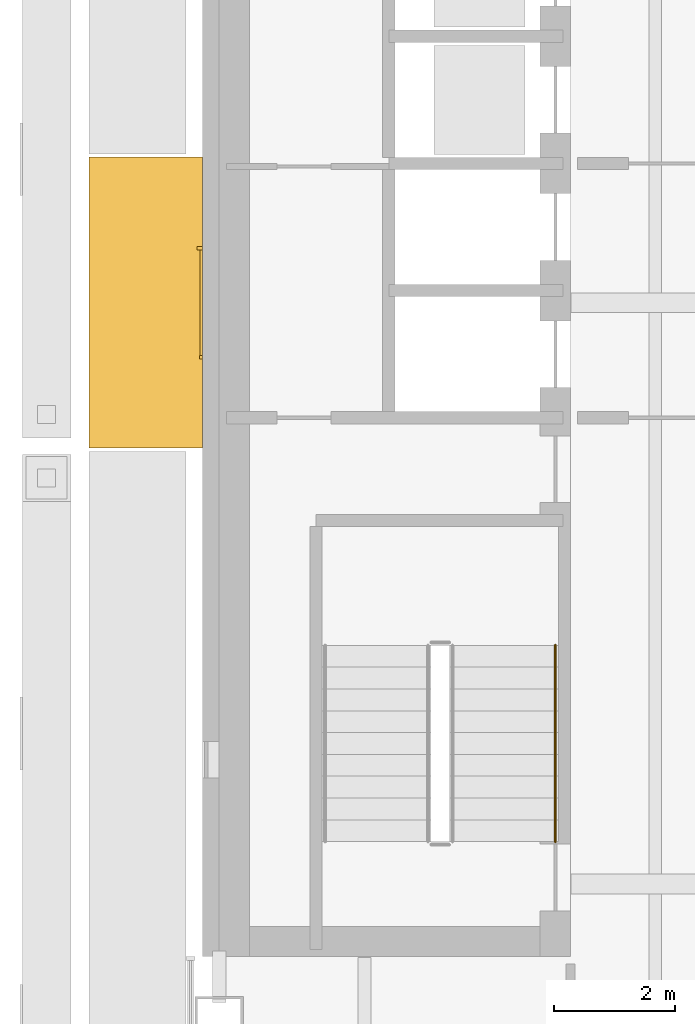
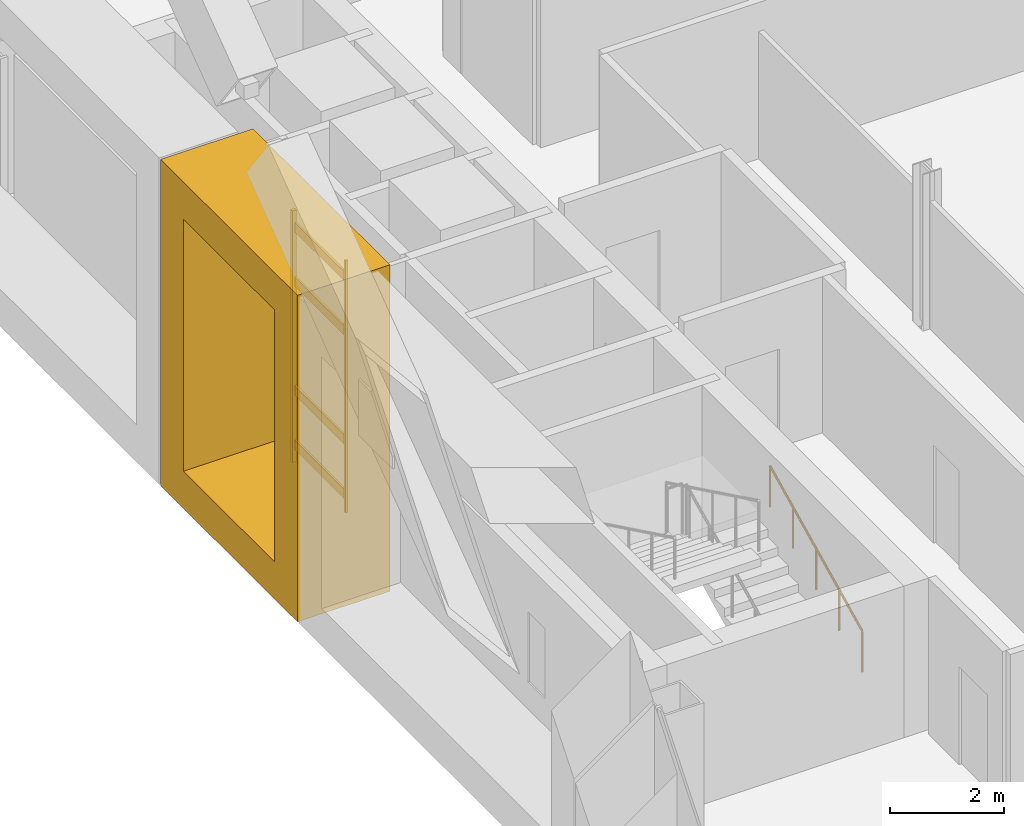
# One storey, part 18 of 22: 7 coverings, 1 railing.
"""IFC4 building model written with IfcOpenShell, lengths in metres."""

from ifc_helpers import new_model, si_unit, direction, frame, origin, origin_2d, place, context, subcontext, project, spatial, polyline, rectangle, circle, outline, extrude, material, type_object, element, save


model = new_model("IFC4")

# Units and contexts
model_context = context("Model", 3, precision=1e-05, world=origin(), true_north=direction((0.0, 1.0)))
body_context = subcontext(model_context, "Body", "Model", "MODEL_VIEW")
ifc_project = project(units=[si_unit("LENGTHUNIT", "METRE"), si_unit("AREAUNIT", "SQUARE_METRE"), si_unit("VOLUMEUNIT", "CUBIC_METRE"), si_unit("PLANEANGLEUNIT", "RADIAN"), si_unit("MASSUNIT", "GRAM", prefix="KILO")], contexts=[model_context])

# Site, building, storey
site_placement = place(None, origin())
site = spatial("IfcSite", under=ifc_project, at=site_placement, CompositionType="ELEMENT")
building_placement = place(site_placement, origin())
building = spatial("IfcBuilding", under=site, at=building_placement, Name="Cobrizo Arcos Hotel Tower", CompositionType="ELEMENT")
storey_placement = place(building_placement, frame((0.0, 0.0, 155.0)))
storey = spatial("IfcBuildingStorey", under=building, at=storey_placement, Name="L39", CompositionType="ELEMENT", Elevation=155.0)

# Coverings
ifc_material_1 = material(Name="Aluminium 6063-T6 anodised bronze", Category="aluminium")
covering_type_1 = type_object("IfcCoveringType", Name="FIN-F 1875", PredefinedType="CLADDING", material=ifc_material_1)
covering_1_placement = place(storey_placement, frame((-21.875, 2.403564453125, 0.0), z_axis=(-1.0, 0.0, 0.0), x_axis=(0.0, -1.0, 0.0)))
element("IfcCovering", 1, at=covering_1_placement, inside=storey, type_object=covering_type_1, Name="Fin frame 268", PredefinedType="CLADDING", context=body_context, shape_type="SweptSolid", body=[
    extrude(outline(polyline([(0.0, 7.0), (0.0, 0.0), (4.80712890625, 0.0), (4.80712890625, 7.0), (0.0, 7.0)]), holes=[polyline([(4.007080078125, 0.800048828125), (0.800048828125, 0.800048828125), (0.800048828125, 6.199951171875), (4.007080078125, 6.199951171875), (4.007080078125, 0.800048828125)])]), origin(), (0.0, 0.0, 1.0), 1.875),
])
ifc_material_2 = material(Name="Aluminium 6063-T6 anodised pale", Category="aluminium")
covering_type_2 = type_object("IfcCoveringType", Name="RS-1 rainscreen rib 60x90", PredefinedType="CLADDING", material=ifc_material_2)
covering_2_placement = place(storey_placement, frame((-21.919921875, 0.89990234375, 0.800048828125), z_axis=(0.0, 0.0, 1.0), x_axis=(0.0, -1.0, 0.0)))
element("IfcCovering", 2, at=covering_2_placement, inside=storey, type_object=covering_type_2, Name="Rainscreen rib 183", PredefinedType="CLADDING", context=body_context, shape_type="SweptSolid", body=[
    extrude(rectangle(XDim=0.06005859375, YDim=0.090087890625, at=origin_2d()), origin(), (0.0, 0.0, 1.0), 5.39990234375),
])
covering_type_3 = type_object("IfcCoveringType", Name="RS-2 rainscreen rib 60x50", PredefinedType="CLADDING", material=ifc_material_2)
covering_3_placement = place(storey_placement, frame((-21.89990234375, -0.89990234375, 0.800048828125), z_axis=(0.0, 0.0, 1.0), x_axis=(0.0, -1.0, 0.0)))
element("IfcCovering", 3, at=covering_3_placement, inside=storey, type_object=covering_type_3, Name="Rainscreen rib 184", PredefinedType="CLADDING", context=body_context, shape_type="SweptSolid", body=[
    extrude(rectangle(XDim=0.06005859375, YDim=0.050048828125, at=origin_2d()), origin(), (0.0, 0.0, 1.0), 5.39990234375),
])
covering_type_4 = type_object("IfcCoveringType", Name="RS-3 rainscreen louvre slat 200x40", PredefinedType="CLADDING", material=ifc_material_2)
for number, where, z_axis, x_axis, name in (
    (4, (-21.89501953125, 0.0, 1.06689453125), (0.0, 0.0, 1.0), (0.0, -1.0, 0.0), "Rainscreen slat 35"),
    (5, (-21.89501953125, 0.0, 2.2333984375), (0.0, 0.0, 1.0), (0.0, -1.0, 0.0), "Rainscreen slat 36"),
    (6, (-21.89501953125, 0.0, 4.56689453125), (0.0, 0.0, 1.0), (0.0, -1.0, 0.0), "Rainscreen slat 37"),
    (7, (-21.89501953125, 0.0, 5.7333984375), (0.0, 0.0, 1.0), (0.0, -1.0, 0.0), "Rainscreen slat 38"),
):
    element("IfcCovering", number, at=place(storey_placement, frame(where, z_axis=z_axis, x_axis=x_axis)), inside=storey, type_object=covering_type_4, Name=name, PredefinedType="CLADDING", context=body_context, shape_type="SweptSolid", body=[
        extrude(rectangle(XDim=1.739990234375, YDim=0.0400390625, at=origin_2d()), origin(), (0.0, 0.0, 1.0), 0.199951171875),
    ])

# Railing
ifc_material_3 = material(Name="Stainless steel railing", Category="steel")
railing_type = type_object("IfcRailingType", Name="Stair handrail", PredefinedType="HANDRAIL", material=ifc_material_3)
railing_placement = place(storey_placement, frame((-16.050048828125, -8.89990234375, 0.175048828125)))
element("IfcRailing", 8, at=railing_placement, inside=storey, type_object=railing_type, Name="L39 ST-W stair handrail 1", PredefinedType="HANDRAIL", context=body_context, shape_type="SweptSolid", body=[
    extrude(circle(Radius=0.02392578125, at=origin_2d()), frame((0.0, 0.0, 0.8759765625), z_axis=(0.0, 0.899372665325, 0.437182809435), x_axis=(-1.0, 0.0, 0.0)), (0.0, 0.0, 1.0), 3.6025390625),
    extrude(circle(Radius=0.02099609375, at=origin_2d()), origin(), (0.0, 0.0, 1.0), 0.851806640625),
    extrude(circle(Radius=0.02099609375, at=origin_2d()), frame((0.0, 0.81005859375, 0.393798828125)), (0.0, 0.0, 1.0), 0.851806640625),
    extrude(circle(Radius=0.02099609375, at=origin_2d()), frame((0.0, 1.6201171875, 0.78759765625)), (0.0, 0.0, 1.0), 0.851806640625),
    extrude(circle(Radius=0.02099609375, at=origin_2d()), frame((0.0, 2.429931640625, 1.18115234375)), (0.0, 0.0, 1.0), 0.851806640625),
    extrude(circle(Radius=0.02099609375, at=origin_2d()), frame((0.0, 3.239990234375, 1.574951171875)), (0.0, 0.0, 1.0), 0.851806640625),
])

save(model, "model.ifc")
